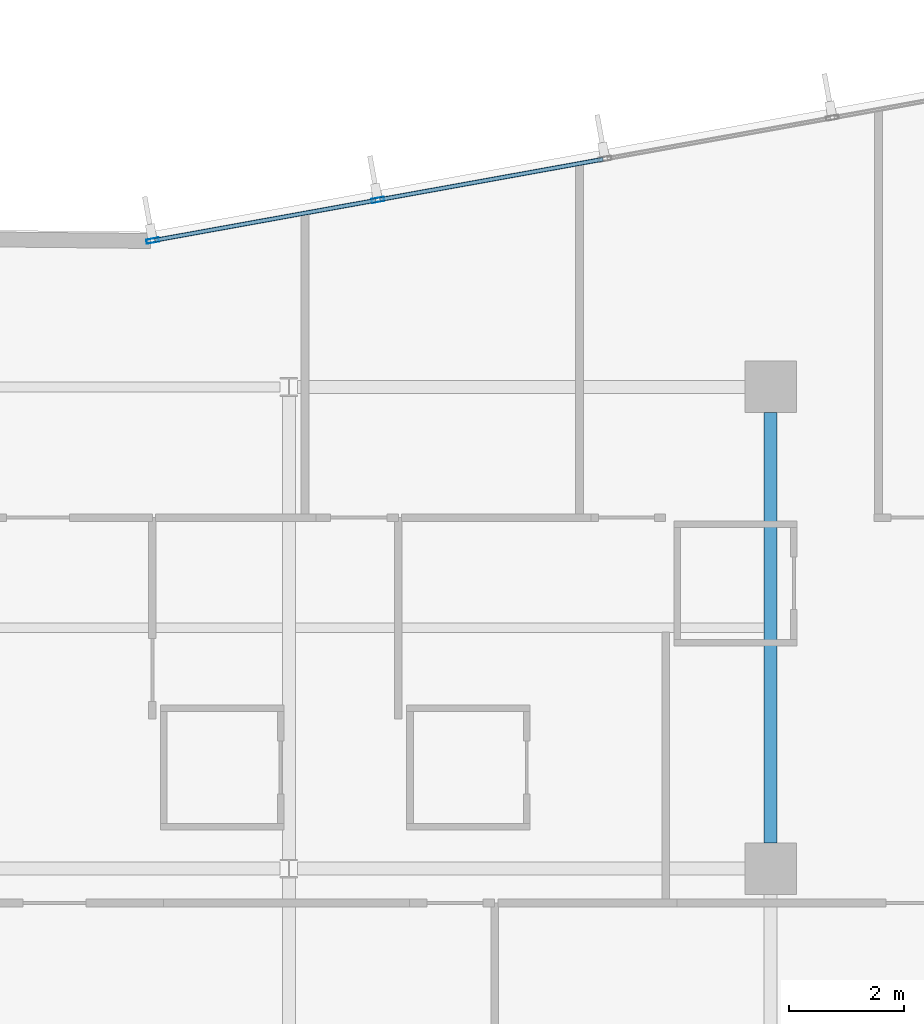
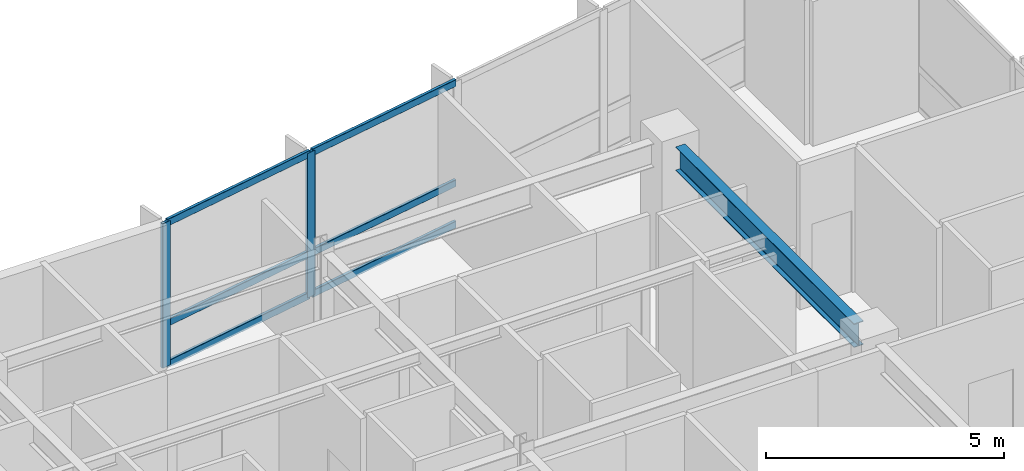
# One storey, part 7 of 22: 8 members, 1 beam, 1 element without a shape of its own.
"""IFC4 building model written with IfcOpenShell, lengths in metres."""

from ifc_helpers import new_model, si_unit, direction, frame, origin, origin_2d, place, context, subcontext, project, spatial, hollow_rectangle, i_section, extrude, material, layer, layer_set, material_profile, profile_set, type_object, element, aggregate, save


model = new_model("IFC4")

# Units and contexts
model_context = context("Model", 3, precision=1e-05, world=origin(), true_north=direction((0.0, 1.0)))
body_context = subcontext(model_context, "Body", "Model", "MODEL_VIEW")
ifc_project = project(units=[si_unit("LENGTHUNIT", "METRE"), si_unit("AREAUNIT", "SQUARE_METRE"), si_unit("VOLUMEUNIT", "CUBIC_METRE"), si_unit("PLANEANGLEUNIT", "RADIAN"), si_unit("MASSUNIT", "GRAM", prefix="KILO")], contexts=[model_context])

# Site, building, storey
site_placement = place(None, origin())
site = spatial("IfcSite", under=ifc_project, at=site_placement, CompositionType="ELEMENT")
building_placement = place(site_placement, origin())
building = spatial("IfcBuilding", under=site, at=building_placement, Name="Varnakote Quay Hospital", CompositionType="ELEMENT")
storey_placement = place(building_placement, frame((0.0, 0.0, 65.949951171875)))
storey = spatial("IfcBuildingStorey", under=building, at=storey_placement, Name="L16", CompositionType="ELEMENT", Elevation=65.949951171875)

# Beam
ifc_material_1 = material(Name="Structural steel AS/NZS 3679.1 Grade 350 L0 (fy 340 MPa)", Category="steel")
ifc_material_profile_1 = material_profile(ifc_material_1, i_section(OverallWidth=0.22900390625, OverallDepth=0.612060546875, WebThickness=0.011962890625, FlangeThickness=0.01953125, FilletRadius=0.013916015625, at=origin_2d()), Name="610UB125")
ifc_profile_set_1 = profile_set([ifc_material_profile_1], Name="Structural steel AS/NZS 3679.1 Grade 350 L0 (fy 340 MPa)")
beam_type = type_object("IfcBeamType", Name="BM-STL-610UB125", PredefinedType="BEAM", material=ifc_profile_set_1)
beam_placement = place(storey_placement, frame((50.39990234375, 20.85009765625, 3.404052734375), z_axis=(0.0, 1.0, 0.0), x_axis=(-1.0, 0.0, 0.0)))
element("IfcBeam", 1, at=beam_placement, inside=storey, type_object=beam_type, Name="L16 Primary Tie Beam", PredefinedType="BEAM", context=body_context, shape_type="SweptSolid", body=[
    extrude(i_section(OverallWidth=0.22900390625, OverallDepth=0.612060546875, WebThickness=0.011962890625, FlangeThickness=0.01953125, FilletRadius=0.013916015625, at=origin_2d()), origin(), (0.0, 0.0, 1.0), 7.5),
])

# Curtain wall, members
ifc_material_2 = material(Name="Anodised aluminium 6063-T6 Bronze", Category="aluminium")
ifc_layer = layer(ifc_material_2, 0.18994140625)
ifc_layer_set = layer_set([ifc_layer], Name="Anodised aluminium 6063-T6 Bronze")
curtain_wall_type = type_object("IfcCurtainWallType", Name="CW-SYS-2", PredefinedType="NOTDEFINED", material=ifc_layer_set)
curtain_wall_placement = place(storey_placement, origin())
curtain_wall = element("IfcCurtainWall", 2, at=curtain_wall_placement, inside=storey, type_object=curtain_wall_type, Name="L16 Unitised Bronze Curtain Wall 2", PredefinedType="NOTDEFINED")
ifc_material_3 = material(Name="Anodised aluminium 6063-T6 Bronze", Category="aluminium")
ifc_material_profile_2 = material_profile(ifc_material_3, hollow_rectangle(XDim=0.074951171875, YDim=0.219970703125, WallThickness=0.00439453125, InnerFilletRadius=0.00439453125, OuterFilletRadius=0.009033203125, at=origin_2d()), Name="CW-MULL-220x75")
ifc_profile_set_2 = profile_set([ifc_material_profile_2], Name="Anodised aluminium 6063-T6 Bronze")
member_type_1 = type_object("IfcMemberType", Name="CW-MULL-220x75", PredefinedType="MULLION", material=ifc_profile_set_2)
member_1_placement = place(storey_placement, frame((43.55224609375, 32.06005859375, 0.0), z_axis=(0.0, 0.0, 1.0), x_axis=(0.177846199098, -0.984058295766, 0.0)))
member_1 = element("IfcMember", 3, at=member_1_placement, type_object=member_type_1, Name="-2-L16-2 mullion 4", PredefinedType="MULLION", context=body_context, shape_type="SweptSolid", body=[
    extrude(hollow_rectangle(XDim=0.074951171875, YDim=0.219970703125, WallThickness=0.00439453125, InnerFilletRadius=0.00439453125, OuterFilletRadius=0.009033203125, at=origin_2d()), origin(), (0.0, 0.0, 1.0), 3.7099609375),
])
member_2_placement = place(storey_placement, frame((39.62646484375, 31.3505859375, 0.0), z_axis=(0.0, 0.0, 1.0), x_axis=(0.177846199098, -0.984058295766, 0.0)))
member_2 = element("IfcMember", 4, at=member_2_placement, type_object=member_type_1, Name="-2-L16-2 mullion 5", PredefinedType="MULLION", context=body_context, shape_type="SweptSolid", body=[
    extrude(hollow_rectangle(XDim=0.074951171875, YDim=0.219970703125, WallThickness=0.00439453125, InnerFilletRadius=0.00439453125, OuterFilletRadius=0.009033203125, at=origin_2d()), origin(), (0.0, 0.0, 1.0), 3.7099609375),
])
ifc_material_4 = material(Name="Anodised aluminium 6063-T6 Bronze", Category="aluminium")
ifc_material_profile_3 = material_profile(ifc_material_4, hollow_rectangle(XDim=0.074951171875, YDim=0.179931640625, WallThickness=0.004150390625, InnerFilletRadius=0.004150390625, OuterFilletRadius=0.00830078125, at=origin_2d()), Name="CW-TRAN-180x75")
ifc_profile_set_3 = profile_set([ifc_material_profile_3], Name="Anodised aluminium 6063-T6 Bronze")
member_type_2 = type_object("IfcMemberType", Name="CW-TRAN-180x75", PredefinedType="USERDEFINED", material=ifc_profile_set_3)
member_3_placement = place(storey_placement, frame((47.477783203125, 32.76953125, 0.03759765625), z_axis=(-0.98405423478, -0.177868667876, 0.0), x_axis=(0.177868667876, -0.98405423478, 0.0)))
member_3 = element("IfcMember", 5, at=member_3_placement, type_object=member_type_2, Name="-2-L16-2 transom 3.1", ObjectType="TRANSOM", PredefinedType="USERDEFINED", context=body_context, shape_type="SweptSolid", body=[
    extrude(hollow_rectangle(XDim=0.074951171875, YDim=0.179931640625, WallThickness=0.004150390625, InnerFilletRadius=0.004150390625, OuterFilletRadius=0.00830078125, at=origin_2d()), origin(), (0.0, 0.0, 1.0), 3.95166015625),
])
member_4_placement = place(storey_placement, frame((47.477783203125, 32.76953125, 1.10009765625), z_axis=(-0.98405423478, -0.177868667876, 0.0), x_axis=(0.177868667876, -0.98405423478, 0.0)))
member_4 = element("IfcMember", 6, at=member_4_placement, type_object=member_type_2, Name="-2-L16-2 transom 3.2", ObjectType="TRANSOM", PredefinedType="USERDEFINED", context=body_context, shape_type="SweptSolid", body=[
    extrude(hollow_rectangle(XDim=0.074951171875, YDim=0.179931640625, WallThickness=0.004150390625, InnerFilletRadius=0.004150390625, OuterFilletRadius=0.00830078125, at=origin_2d()), origin(), (0.0, 0.0, 1.0), 3.95166015625),
])
member_5_placement = place(storey_placement, frame((47.477783203125, 32.76953125, 3.672607421875), z_axis=(-0.98405423478, -0.177868667876, 0.0), x_axis=(0.177868667876, -0.98405423478, 0.0)))
member_5 = element("IfcMember", 7, at=member_5_placement, type_object=member_type_2, Name="-2-L16-2 transom 3.3", ObjectType="TRANSOM", PredefinedType="USERDEFINED", context=body_context, shape_type="SweptSolid", body=[
    extrude(hollow_rectangle(XDim=0.074951171875, YDim=0.179931640625, WallThickness=0.004150390625, InnerFilletRadius=0.004150390625, OuterFilletRadius=0.00830078125, at=origin_2d()), origin(), (0.0, 0.0, 1.0), 3.95166015625),
])
member_6_placement = place(storey_placement, frame((43.515380859375, 32.053466796875, 0.03759765625), z_axis=(-0.984053005206, -0.177875470329, 0.0), x_axis=(0.177875470329, -0.984053005206, 0.0)))
member_6 = element("IfcMember", 8, at=member_6_placement, type_object=member_type_2, Name="-2-L16-2 transom 4.1", ObjectType="TRANSOM", PredefinedType="USERDEFINED", context=body_context, shape_type="SweptSolid", body=[
    extrude(hollow_rectangle(XDim=0.074951171875, YDim=0.179931640625, WallThickness=0.004150390625, InnerFilletRadius=0.004150390625, OuterFilletRadius=0.00830078125, at=origin_2d()), origin(), (0.0, 0.0, 1.0), 3.91455078125),
])
member_7_placement = place(storey_placement, frame((43.515380859375, 32.053466796875, 1.10009765625), z_axis=(-0.984053005206, -0.177875470329, 0.0), x_axis=(0.177875470329, -0.984053005206, 0.0)))
member_7 = element("IfcMember", 9, at=member_7_placement, type_object=member_type_2, Name="-2-L16-2 transom 4.2", ObjectType="TRANSOM", PredefinedType="USERDEFINED", context=body_context, shape_type="SweptSolid", body=[
    extrude(hollow_rectangle(XDim=0.074951171875, YDim=0.179931640625, WallThickness=0.004150390625, InnerFilletRadius=0.004150390625, OuterFilletRadius=0.00830078125, at=origin_2d()), origin(), (0.0, 0.0, 1.0), 3.91455078125),
])
member_8_placement = place(storey_placement, frame((43.515380859375, 32.053466796875, 3.672607421875), z_axis=(-0.984053005206, -0.177875470329, 0.0), x_axis=(0.177875470329, -0.984053005206, 0.0)))
member_8 = element("IfcMember", 10, at=member_8_placement, type_object=member_type_2, Name="-2-L16-2 transom 4.3", ObjectType="TRANSOM", PredefinedType="USERDEFINED", context=body_context, shape_type="SweptSolid", body=[
    extrude(hollow_rectangle(XDim=0.074951171875, YDim=0.179931640625, WallThickness=0.004150390625, InnerFilletRadius=0.004150390625, OuterFilletRadius=0.00830078125, at=origin_2d()), origin(), (0.0, 0.0, 1.0), 3.91455078125),
])
aggregate(curtain_wall, [member_1, member_2, member_3, member_4, member_5, member_6, member_7, member_8])

save(model, "model.ifc")
